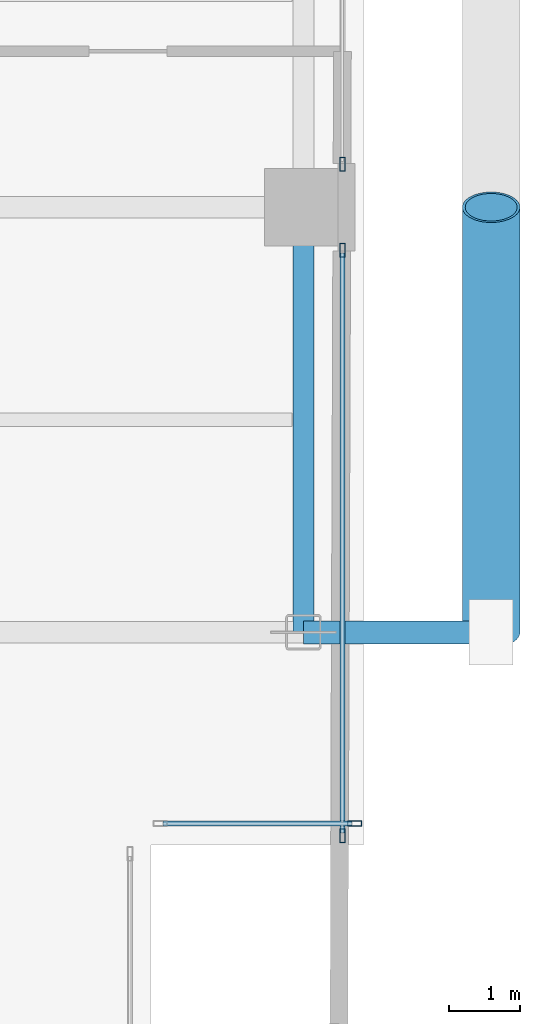
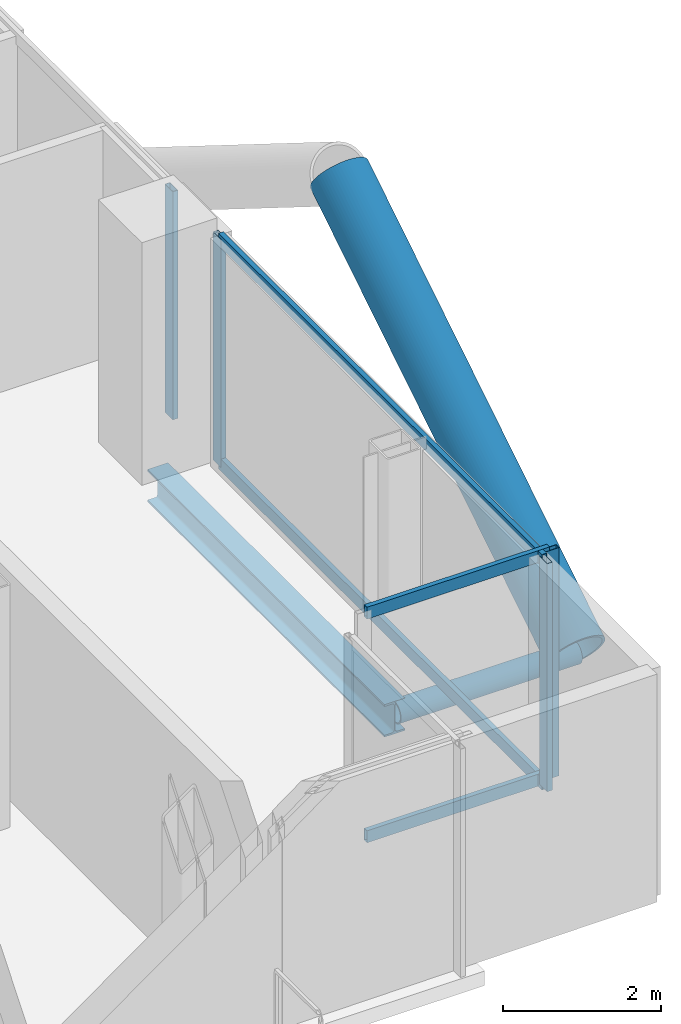
# One storey, part 12 of 28: 10 members, 1 beam, 3 elements without a shape of their own.
"""IFC4 building model written with IfcOpenShell, lengths in metres."""

from ifc_helpers import new_model, si_unit, direction, frame, origin, origin_2d, place, context, subcontext, project, spatial, hollow_rectangle, hollow_circle, i_section, extrude, material, layer, layer_set, material_profile, profile_set, type_object, element, aggregate, save


model = new_model("IFC4")

# Units and contexts
model_context = context("Model", 3, precision=1e-05, world=origin(), true_north=direction((0.0, 1.0)))
body_context = subcontext(model_context, "Body", "Model", "MODEL_VIEW")
ifc_project = project(units=[si_unit("LENGTHUNIT", "METRE"), si_unit("AREAUNIT", "SQUARE_METRE"), si_unit("VOLUMEUNIT", "CUBIC_METRE"), si_unit("PLANEANGLEUNIT", "RADIAN"), si_unit("MASSUNIT", "GRAM", prefix="KILO"), si_unit("THERMODYNAMICTEMPERATUREUNIT", "KELVIN"), si_unit("POWERUNIT", "WATT")], contexts=[model_context])

# Site, building, storey
site_placement = place(None, origin())
site = spatial("IfcSite", under=ifc_project, at=site_placement, CompositionType="ELEMENT")
building_placement = place(site_placement, origin())
building = spatial("IfcBuilding", under=site, at=building_placement, Name="Svarakhadi Broadcast Tower", CompositionType="ELEMENT")
storey_placement = place(building_placement, frame((0.0, 0.0, 134.39990234375)))
storey = spatial("IfcBuildingStorey", under=building, at=storey_placement, Name="L32", CompositionType="ELEMENT", Elevation=134.39990234375)

# Curtain wall, member
ifc_material_1 = material(Name="Anodised Bronze Aluminium AA 6063-T6", Category="aluminium")
ifc_layer = layer(ifc_material_1, 0.199951171875)
ifc_layer_set = layer_set([ifc_layer], Name="Anodised Bronze Aluminium AA 6063-T6")
curtain_wall_type = type_object("IfcCurtainWallType", Name="CW_Sys_03", PredefinedType="NOTDEFINED", material=ifc_layer_set)
curtain_wall_1_placement = place(storey_placement, origin())
curtain_wall_1 = element("IfcCurtainWall", 1, at=curtain_wall_1_placement, inside=storey, type_object=curtain_wall_type, Name="L32 Unitised Facade Curtain Wall 13 Bay 1", PredefinedType="NOTDEFINED")
ifc_material_profile_1 = material_profile(ifc_material_1, hollow_rectangle(XDim=0.074951171875, YDim=0.199951171875, WallThickness=0.005615234375, at=origin_2d()), Name="ALU MULLION 200x75x6")
ifc_profile_set_1 = profile_set([ifc_material_profile_1], Name="Anodised Bronze Aluminium AA 6063-T6")
member_type_1 = type_object("IfcMemberType", Name="CW_Sys_03_Mul", PredefinedType="MULLION", material=ifc_profile_set_1)
member_1_placement = place(storey_placement, frame((47.699951171875, 12.607421875, 0.0), z_axis=(0.0, 0.0, 1.0), x_axis=(1.0, 0.0, 0.0)))
member_1 = element("IfcMember", 2, at=member_1_placement, type_object=member_type_1, Name="CW-03 mullion 2", PredefinedType="MULLION", context=body_context, shape_type="SweptSolid", body=[
    extrude(hollow_rectangle(XDim=0.074951171875, YDim=0.199951171875, WallThickness=0.005615234375, at=origin_2d()), origin(), (0.0, 0.0, 1.0), 3.525146484375),
])
aggregate(curtain_wall_1, [member_1])

# Curtain wall, members
curtain_wall_2_placement = place(storey_placement, origin())
curtain_wall_2 = element("IfcCurtainWall", 3, at=curtain_wall_2_placement, inside=storey, type_object=curtain_wall_type, Name="L32 Unitised Facade Curtain Wall 13 Bay 2", PredefinedType="NOTDEFINED")
member_2_placement = place(storey_placement, frame((47.699951171875, 11.392578125, 0.0), z_axis=(0.0, 0.0, 1.0), x_axis=(1.0, 0.0, 0.0)))
member_2 = element("IfcMember", 4, at=member_2_placement, type_object=member_type_1, Name="CW-03 mullion 1", PredefinedType="MULLION", context=body_context, shape_type="SweptSolid", body=[
    extrude(hollow_rectangle(XDim=0.074951171875, YDim=0.199951171875, WallThickness=0.005615234375, at=origin_2d()), origin(), (0.0, 0.0, 1.0), 3.525146484375),
])
member_3_placement = place(storey_placement, frame((47.699951171875, 3.12744140625, 0.0), z_axis=(0.0, 0.0, 1.0), x_axis=(1.0, 0.0, 0.0)))
member_3 = element("IfcMember", 5, at=member_3_placement, type_object=member_type_1, Name="CW-03 mullion 2", PredefinedType="MULLION", context=body_context, shape_type="SweptSolid", body=[
    extrude(hollow_rectangle(XDim=0.074951171875, YDim=0.199951171875, WallThickness=0.005615234375, at=origin_2d()), origin(), (0.0, 0.0, 1.0), 3.525146484375),
])

# Curtain wall, member
curtain_wall_3_placement = place(storey_placement, origin())
curtain_wall_3 = element("IfcCurtainWall", 6, at=curtain_wall_3_placement, inside=storey, type_object=curtain_wall_type, Name="L32 Unitised Facade Curtain Wall 14", PredefinedType="NOTDEFINED")
member_4_placement = place(storey_placement, frame((47.87255859375, 3.300048828125, 0.0), z_axis=(0.0, 0.0, 1.0), x_axis=(0.0, -1.0, 0.0)))
member_4 = element("IfcMember", 7, at=member_4_placement, type_object=member_type_1, Name="CW-03 mullion 1", PredefinedType="MULLION", context=body_context, shape_type="SweptSolid", body=[
    extrude(hollow_rectangle(XDim=0.074951171875, YDim=0.199951171875, WallThickness=0.005615234375, at=origin_2d()), origin(), (0.0, 0.0, 1.0), 3.525146484375),
])

# Member
ifc_material_profile_2 = material_profile(ifc_material_1, hollow_rectangle(XDim=0.070068359375, YDim=0.18505859375, WallThickness=0.0048828125, at=origin_2d()), Name="ALU TRANSOM 185x70x5")
ifc_profile_set_2 = profile_set([ifc_material_profile_2], Name="Anodised Bronze Aluminium AA 6063-T6")
member_type_2 = type_object("IfcMemberType", Name="CW_Sys_03_Trn", PredefinedType="USERDEFINED", material=ifc_profile_set_2)
member_5_placement = place(storey_placement, frame((47.699951171875, 11.35498046875, 0.03515625), z_axis=(0.0, -1.0, 0.0), x_axis=(1.0, 0.0, 0.0)))
member_5 = element("IfcMember", 8, at=member_5_placement, type_object=member_type_2, Name="CW-03 transom 1.1", ObjectType="TRANSOM", PredefinedType="USERDEFINED", context=body_context, shape_type="SweptSolid", body=[
    extrude(hollow_rectangle(XDim=0.070068359375, YDim=0.18505859375, WallThickness=0.0048828125, at=origin_2d()), origin(), (0.0, 0.0, 1.0), 8.18994140625),
])

member_6_placement = place(storey_placement, frame((47.699951171875, 11.35498046875, 3.489990234375), z_axis=(0.0, -1.0, 0.0), x_axis=(1.0, 0.0, 0.0)))
member_6 = element("IfcMember", 9, at=member_6_placement, type_object=member_type_2, Name="CW-03 transom 1.2", ObjectType="TRANSOM", PredefinedType="USERDEFINED", context=body_context, shape_type="SweptSolid", body=[
    extrude(hollow_rectangle(XDim=0.070068359375, YDim=0.18505859375, WallThickness=0.0048828125, at=origin_2d()), origin(), (0.0, 0.0, 1.0), 8.18994140625),
])

aggregate(curtain_wall_2, [member_2, member_3, member_5, member_6])

member_7_placement = place(storey_placement, frame((47.8349609375, 3.300048828125, 0.03515625), z_axis=(-1.0, 0.0, 0.0), x_axis=(0.0, -1.0, 0.0)))
member_7 = element("IfcMember", 10, at=member_7_placement, type_object=member_type_2, Name="CW-03 transom 1.1", ObjectType="TRANSOM", PredefinedType="USERDEFINED", context=body_context, shape_type="SweptSolid", body=[
    extrude(hollow_rectangle(XDim=0.070068359375, YDim=0.18505859375, WallThickness=0.0048828125, at=origin_2d()), origin(), (0.0, 0.0, 1.0), 2.669921875),
])

member_8_placement = place(storey_placement, frame((47.8349609375, 3.300048828125, 3.489990234375), z_axis=(-1.0, 0.0, 0.0), x_axis=(0.0, -1.0, 0.0)))
member_8 = element("IfcMember", 11, at=member_8_placement, type_object=member_type_2, Name="CW-03 transom 1.2", ObjectType="TRANSOM", PredefinedType="USERDEFINED", context=body_context, shape_type="SweptSolid", body=[
    extrude(hollow_rectangle(XDim=0.070068359375, YDim=0.18505859375, WallThickness=0.0048828125, at=origin_2d()), origin(), (0.0, 0.0, 1.0), 2.669921875),
])

aggregate(curtain_wall_3, [member_4, member_7, member_8])

# Members
ifc_material_2 = material(Name="Steel S460ML (IS 2062 E450BR)", Category="steel")
ifc_material_profile_3 = material_profile(ifc_material_2, hollow_circle(Radius=0.406494140625, WallThickness=0.0400390625, at=origin_2d()), Name="CHS 813x40")
ifc_profile_set_3 = profile_set([ifc_material_profile_3], Name="Steel S460ML (IS 2062 E450BR)")
member_type_3 = type_object("IfcMemberType", Name="Exo_Brace_CHS813", PredefinedType="BRACE", material=ifc_profile_set_3)
member_9_placement = place(storey_placement, frame((49.800048828125, 6.0, -0.386962890625), z_axis=(0.0, 0.847998304005, 0.529998940003), x_axis=(-1.0, 0.0, 0.0)))
element("IfcMember", 12, at=member_9_placement, inside=storey, type_object=member_type_3, Name="L32 Exposed Bronze Exoskeleton Diagonal E08", PredefinedType="BRACE", context=body_context, shape_type="SweptSolid", body=[
    extrude(hollow_circle(Radius=0.406494140625, WallThickness=0.0400390625, at=origin_2d()), origin(), (0.0, 0.0, 1.0), 7.075439453125),
])
ifc_material_profile_4 = material_profile(ifc_material_2, hollow_circle(Radius=0.161865234375, WallThickness=0.01611328125, at=origin_2d()), Name="CHS 323.9x16")
ifc_profile_set_4 = profile_set([ifc_material_profile_4], Name="Steel S460ML (IS 2062 E450BR)")
member_type_4 = type_object("IfcMemberType", Name="Exo_Radial_Strut_Z2", PredefinedType="STRUT", material=ifc_profile_set_4)
member_10_placement = place(storey_placement, frame((49.800048828125, 6.0, -0.386962890625), z_axis=(-1.0, 0.0, 0.0), x_axis=(0.0, -1.0, 0.0)))
element("IfcMember", 13, at=member_10_placement, inside=storey, type_object=member_type_4, Name="L32 Exoskeleton Radial Tie Strut E08", PredefinedType="STRUT", context=body_context, shape_type="SweptSolid", body=[
    extrude(hollow_circle(Radius=0.161865234375, WallThickness=0.01611328125, at=origin_2d()), origin(), (0.0, 0.0, 1.0), 2.650146484375),
])

# Beam
ifc_material_3 = material(Name="Steel S355J2 (IS 2062 E350C)", Category="steel")
ifc_material_profile_5 = material_profile(ifc_material_3, i_section(OverallWidth=0.300048828125, OverallDepth=0.5, WebThickness=0.014404296875, FlangeThickness=0.028076171875, FilletRadius=0.027099609375, at=origin_2d()), Name="WPB 500x300x187")
ifc_profile_set_5 = profile_set([ifc_material_profile_5], Name="Steel S355J2 (IS 2062 E350C)")
beam_type = type_object("IfcBeamType", Name="Girder_WPB500", PredefinedType="USERDEFINED", material=ifc_profile_set_5)
beam_placement = place(storey_placement, frame((47.14990234375, 6.0, -0.474853515625), z_axis=(0.0, 1.0, 0.0), x_axis=(-1.0, 0.0, 0.0)))
element("IfcBeam", 14, at=beam_placement, inside=storey, type_object=beam_type, Name="L32 Primary N-S Girder G073", ObjectType="GIRDER", PredefinedType="USERDEFINED", context=body_context, shape_type="SweptSolid", body=[
    extrude(i_section(OverallWidth=0.300048828125, OverallDepth=0.5, WebThickness=0.014404296875, FlangeThickness=0.028076171875, FilletRadius=0.027099609375, at=origin_2d()), origin(), (0.0, 0.0, 1.0), 6.0),
])

save(model, "model.ifc")
